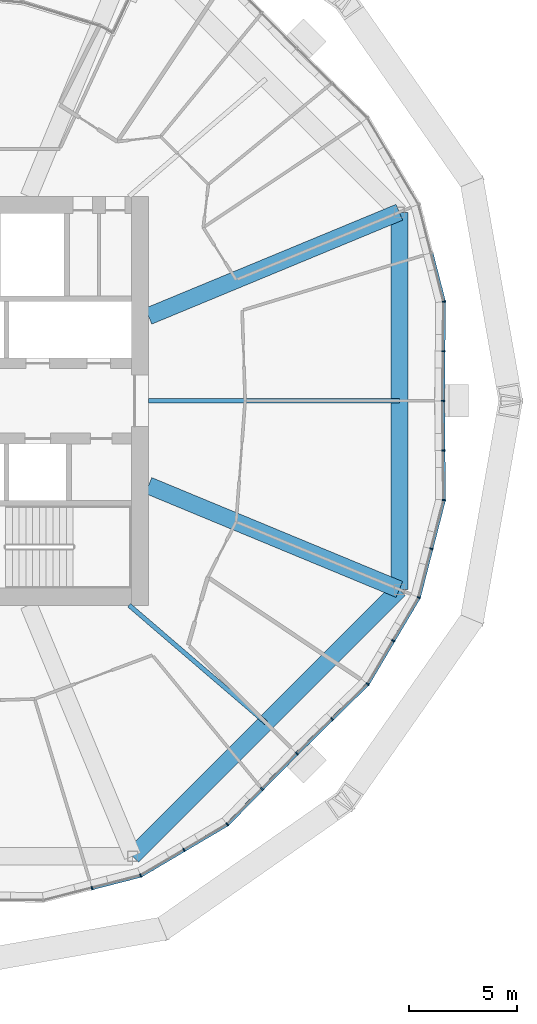
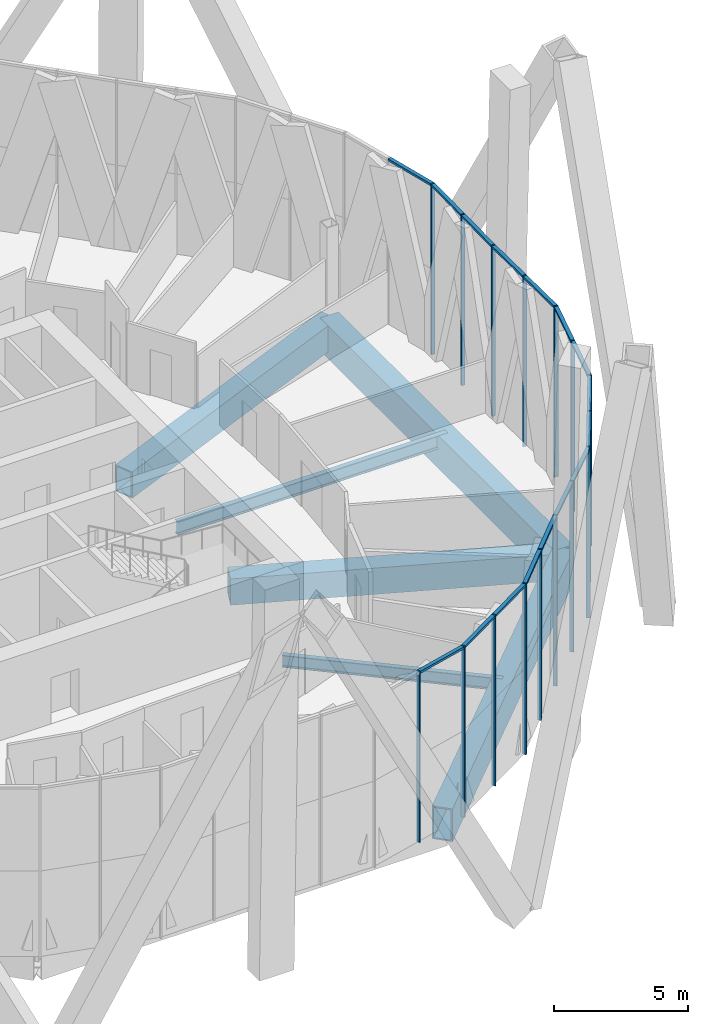
# One storey, part 6 of 31: 32 members, 6 beams, 3 elements without a shape of their own.
"""IFC4 building model written with IfcOpenShell, lengths in metres."""

import ifcopenshell
import ifcopenshell.guid

model = None  # the IFC model being written
_history = None  # IfcOwnerHistory: only IFC2X3 demands one
_inside = {}  # id of a spatial element -> (the spatial element, [elements in it])
_under = {}  # id of a project, library or spatial element -> (it, [spatial elements below it])
_declared = {}  # id of a project -> (the project, [libraries it declares])
_typed = {}  # id of a type object -> (the type object, [elements of that type])
_made_of = {}  # id of a material, layer set ... -> (it, [elements and type objects made of it])


def new_model(schema):
    """Start an empty IFC model of exactly this schema.

    Asked for "IFC4X3", IfcOpenShell would pick the latest addendum, in which some entities
    have other attributes; the version numbers below select the first issue.
    IFC2X3 requires an IfcOwnerHistory on every rooted entity: one is made here for all.
    """
    global model, _history
    if schema == "IFC4X3":
        model = ifcopenshell.file(schema_version=(4, 3, 0, 0))
    else:
        model = ifcopenshell.file(schema=schema)
    _inside.clear()
    _under.clear()
    _declared.clear()
    _typed.clear()
    _made_of.clear()
    _history = None
    if model.schema == "IFC2X3":
        org = make("IfcOrganization", Name="unknown")
        user = make(
            "IfcPersonAndOrganization",
            ThePerson=make("IfcPerson", FamilyName="unknown"),
            TheOrganization=org,
        )
        app = make(
            "IfcApplication",
            ApplicationDeveloper=org,
            Version="unknown",
            ApplicationFullName="unknown",
            ApplicationIdentifier="unknown",
        )
        _history = make(
            "IfcOwnerHistory",
            OwningUser=user,
            OwningApplication=app,
            ChangeAction="ADDED",
            CreationDate=0,
        )
    return model


def make(cls, **values):
    """One entity of the class cls with the attributes given. An attribute that is None is left unset."""
    return model.create_entity(
        cls, **{name: value for name, value in values.items() if value is not None}
    )


def rooted(cls, **values):
    """An entity with a GlobalId (a new one), such as an element, a storey or a relation."""
    return make(cls, GlobalId=ifcopenshell.guid.new(), OwnerHistory=_history, **values)


def si_unit(unit_type, name, prefix=None):
    """IfcSIUnit, for example si_unit("LENGTHUNIT", "METRE", prefix="MILLI")."""
    return make("IfcSIUnit", UnitType=unit_type, Prefix=prefix, Name=name)


def assignment(units):
    """IfcUnitAssignment: the units of a project."""
    return None if units is None else make("IfcUnitAssignment", Units=units)


def point(xyz):
    """IfcCartesianPoint."""
    return None if xyz is None else make("IfcCartesianPoint", Coordinates=xyz)


def direction(xyz):
    """IfcDirection."""
    return None if xyz is None else make("IfcDirection", DirectionRatios=xyz)


def frame(location, z_axis=None, x_axis=None):
    """IfcAxis2Placement3D, a coordinate frame: its origin and axes. An axis left out is left unset."""
    return make(
        "IfcAxis2Placement3D",
        Location=point(location),
        Axis=direction(z_axis),
        RefDirection=direction(x_axis),
    )


def frame_2d(location, x_axis=None):
    """IfcAxis2Placement2D, a coordinate frame in the plane: its origin and x axis."""
    return make(
        "IfcAxis2Placement2D", Location=point(location), RefDirection=direction(x_axis)
    )


def origin():
    """The frame at (0, 0, 0) with its axes left unset."""
    return frame((0.0, 0.0, 0.0))


def origin_2d():
    """The frame at (0, 0) in the plane with its x axis left unset."""
    return frame_2d((0.0, 0.0))


def place(relative_to, where):
    """IfcLocalPlacement: puts the frame where relative to a parent placement (None: the world)."""
    return make(
        "IfcLocalPlacement", PlacementRelTo=relative_to, RelativePlacement=where
    )


def context(
    kind, dimensions, precision=None, world=None, true_north=None, identifier=None
):
    """IfcGeometricRepresentationContext, for example the 3D "Model" context."""
    return make(
        "IfcGeometricRepresentationContext",
        ContextIdentifier=identifier,
        ContextType=kind,
        CoordinateSpaceDimension=dimensions,
        Precision=precision,
        WorldCoordinateSystem=world,
        TrueNorth=true_north,
    )


def subcontext(parent, identifier, kind, view, scale=None):
    """IfcGeometricRepresentationSubContext, for example "Body" below "Model"."""
    return make(
        "IfcGeometricRepresentationSubContext",
        ContextIdentifier=identifier,
        ContextType=kind,
        ParentContext=parent,
        TargetScale=scale,
        TargetView=view,
    )


def project(units=None, contexts=None):
    """IfcProject with its units and contexts."""
    return rooted(
        "IfcProject",
        Name="project",
        RepresentationContexts=contexts,
        UnitsInContext=assignment(units),
    )


def spatial(cls, under=None, at=None, **own):
    """A site, building, storey or space (cls), placed at a placement, below another one or the project."""
    s = rooted(cls, ObjectPlacement=at, **own)
    if under is not None:
        _under.setdefault(under.id(), (under, []))[1].append(s)
    return s


def profile(cls, at=None, kind="AREA", **sizes):
    """A parametric profile (cls). Its sizes go by their IFC names, for example OverallWidth=200.0."""
    return make(cls, ProfileType=kind, Position=at, **sizes)


def rectangle(**sizes):
    """IfcRectangleProfileDef."""
    return profile("IfcRectangleProfileDef", **sizes)


def hollow_rectangle(**sizes):
    """IfcRectangleHollowProfileDef."""
    return profile("IfcRectangleHollowProfileDef", **sizes)


def i_section(**sizes):
    """IfcIShapeProfileDef."""
    return profile("IfcIShapeProfileDef", **sizes)


def extrude(swept, where, along, depth):
    """IfcExtrudedAreaSolid: the profile swept, set in the frame where, extruded along a direction by depth."""
    return make(
        "IfcExtrudedAreaSolid",
        SweptArea=swept,
        Position=where,
        ExtrudedDirection=direction(along),
        Depth=depth,
    )


def shape(context_of_items, identifier, shape_type, items):
    """IfcShapeRepresentation: the items that make up one representation, for example the "Body"."""
    return make(
        "IfcShapeRepresentation",
        ContextOfItems=context_of_items,
        RepresentationIdentifier=identifier,
        RepresentationType=shape_type,
        Items=items,
    )


def material(Name=None, Category=None):
    """IfcMaterial."""
    return make("IfcMaterial", Name=Name, Category=Category)


def material_profile(
    of_material, cross_section, Name=None, Category=None, Priority=None
):
    """IfcMaterialProfile: a cross section and its material."""
    return make(
        "IfcMaterialProfile",
        Name=Name,
        Material=of_material,
        Profile=cross_section,
        Priority=Priority,
        Category=Category,
    )


def profile_set(profiles, Name=None, composite=None):
    """IfcMaterialProfileSet."""
    return make(
        "IfcMaterialProfileSet",
        Name=Name,
        MaterialProfiles=profiles,
        CompositeProfile=composite,
    )


def made_of(thing, what):
    """Note that an element or type object is made of a material, layer set ...; save() writes the relation."""
    if what is not None:
        _made_of.setdefault(what.id(), (what, []))[1].append(thing)
    return thing


def type_object(cls, material=None, **own):
    """A type object (cls), such as IfcWallType, which elements share."""
    return made_of(rooted(cls, **own), material)


def element(
    cls,
    number,
    at=None,
    inside=None,
    cuts=None,
    type_object=None,
    material=None,
    context=None,
    identifier="Body",
    shape_type=None,
    held_by="IfcProductDefinitionShape",
    body=None,
    shapes=None,
    **own,
):
    """One element of the class cls, such as IfcWall. Its Tag is "e" and its number.

    at: its placement. inside: the storey or other place that contains it. cuts: it is an
    opening in that element (IfcRelVoidsElement). A single representation is given by context,
    identifier, shape_type and body (its items); several are given by shapes. held_by: the class
    of the entity that holds the representations. save() writes the other relations.
    """
    e = rooted(cls, Tag="e%d" % number, ObjectPlacement=at, **own)
    if body is not None:
        shapes = [shape(context, identifier, shape_type, body)]
    if shapes is not None:
        e.Representation = make(held_by, Representations=shapes)
    if inside is not None:
        _inside.setdefault(inside.id(), (inside, []))[1].append(e)
    if cuts is not None:
        rooted(
            "IfcRelVoidsElement", RelatingBuildingElement=cuts, RelatedOpeningElement=e
        )
    if type_object is not None:
        _typed.setdefault(type_object.id(), (type_object, []))[1].append(e)
    return made_of(e, material)


def aggregate(whole, parts):
    """IfcRelAggregates: a whole, such as a stair, and the parts it consists of."""
    return rooted("IfcRelAggregates", RelatingObject=whole, RelatedObjects=parts)


def save(model, path):
    """Write the relations noted so far, then the file.

    IfcRelAggregates (storeys below a building ...), IfcRelContainedInSpatialStructure (elements
    in a storey), IfcRelDefinesByType, IfcRelAssociatesMaterial and IfcRelDeclares: one each for
    every whole, place, type object, material and project.
    """
    for whole, parts in _under.values():
        aggregate(whole, parts)
    for where, things in _inside.values():
        rooted(
            "IfcRelContainedInSpatialStructure",
            RelatedElements=things,
            RelatingStructure=where,
        )
    for kind, things in _typed.values():
        rooted("IfcRelDefinesByType", RelatedObjects=things, RelatingType=kind)
    for what, things in _made_of.values():
        rooted("IfcRelAssociatesMaterial", RelatedObjects=things, RelatingMaterial=what)
    for by, libraries in _declared.values():
        rooted("IfcRelDeclares", RelatingContext=by, RelatedDefinitions=libraries)
    model.write(path)


model = new_model("IFC4")

# Units and contexts
model_context = context("Model", 3, precision=1e-05, world=origin(), true_north=direction((0.0, 1.0)))
body_context = subcontext(model_context, "Body", "Model", "MODEL_VIEW")
ifc_project = project(units=[si_unit("LENGTHUNIT", "METRE"), si_unit("AREAUNIT", "SQUARE_METRE"), si_unit("VOLUMEUNIT", "CUBIC_METRE"), si_unit("PLANEANGLEUNIT", "RADIAN"), si_unit("MASSUNIT", "GRAM", prefix="KILO")], contexts=[model_context])

# Site, building, storey
site_placement = place(None, origin())
site = spatial("IfcSite", under=ifc_project, at=site_placement, CompositionType="ELEMENT")
building_placement = place(site_placement, origin())
building = spatial("IfcBuilding", under=site, at=building_placement, Name="Ogive Gate Towers", CompositionType="ELEMENT")
storey_placement = place(building_placement, frame((0.0, 0.0, 55.800048828125)))
storey = spatial("IfcBuildingStorey", under=building, at=storey_placement, Name="L12", CompositionType="ELEMENT", Elevation=55.800048828125)

# Beams
ifc_material_1 = material(Name="Steel SM460", Category="steel")
ifc_material_profile_1 = material_profile(ifc_material_1, hollow_rectangle(XDim=0.800048828125, YDim=1.5, WallThickness=0.06005859375, at=origin_2d()), Name="BX 1500x800x60")
ifc_profile_set_1 = profile_set([ifc_material_profile_1], Name="Steel SM460")
beam_type_1 = type_object("IfcBeamType", Name="Edge girder BX 1500x800x60", PredefinedType="BEAM", material=ifc_profile_set_1)
for number, where, z_axis, x_axis, name in (
    (1, (-27.236572265625, -21.15673828125, -1.050048828125), (0.707106781187, 0.707106781187, 0.0), (-0.707106781187, 0.707106781187, 0.0), "T1/L12/SBM019"),
    (2, (-14.84326171875, -8.763427734375, -1.050048828125), (0.0, 1.0, 0.0), (-1.0, 0.0, 0.0), "T1/L12/SBM020"),
):
    element("IfcBeam", number, at=place(storey_placement, frame(where, z_axis=z_axis, x_axis=x_axis)), inside=storey, type_object=beam_type_1, Name=name, PredefinedType="BEAM", context=body_context, shape_type="SweptSolid", body=[
        extrude(hollow_rectangle(XDim=0.800048828125, YDim=1.5, WallThickness=0.06005859375, at=origin_2d()), origin(), (0.0, 0.0, 1.0), 17.52685546875),
    ])
ifc_material_2 = material(Name="Steel SM355", Category="steel")
ifc_material_profile_2 = material_profile(ifc_material_2, i_section(OverallWidth=0.2099609375, OverallDepth=0.550048828125, WebThickness=0.010986328125, FlangeThickness=0.01708984375, FilletRadius=0.02392578125, at=origin_2d()), Name="IPE 550")
ifc_profile_set_2 = profile_set([ifc_material_profile_2], Name="Steel SM355")
beam_type_2 = type_object("IfcBeamType", Name="Radial floor beam IPE 550", PredefinedType="BEAM", material=ifc_profile_set_2)
beam_1_placement = place(storey_placement, frame((-27.39990234375, -9.5, -0.574951171875), z_axis=(0.75874444664, -0.651388413078, 0.0), x_axis=(0.651388413078, 0.75874444664, 0.0)))
element("IfcBeam", 3, at=beam_1_placement, inside=storey, type_object=beam_type_2, Name="T1/L12/SBM006", PredefinedType="BEAM", context=body_context, shape_type="SweptSolid", body=[
    extrude(i_section(OverallWidth=0.2099609375, OverallDepth=0.550048828125, WebThickness=0.010986328125, FlangeThickness=0.01708984375, FilletRadius=0.02392578125, at=origin_2d()), origin(), (0.0, 0.0, 1.0), 8.38232421875),
])
ifc_material_profile_3 = material_profile(ifc_material_2, i_section(OverallWidth=0.219970703125, OverallDepth=0.60009765625, WebThickness=0.011962890625, FlangeThickness=0.01904296875, FilletRadius=0.02392578125, at=origin_2d()), Name="IPE 600")
ifc_profile_set_3 = profile_set([ifc_material_profile_3], Name="Steel SM355")
beam_type_3 = type_object("IfcBeamType", Name="Radial floor beam IPE 600", PredefinedType="BEAM", material=ifc_profile_set_3)
beam_2_placement = place(storey_placement, frame((-26.5, 0.0, -0.60009765625), z_axis=(1.0, 0.0, 0.0), x_axis=(0.0, 1.0, 0.0)))
element("IfcBeam", 4, at=beam_2_placement, inside=storey, type_object=beam_type_3, Name="T1/L12/SBM008", PredefinedType="BEAM", context=body_context, shape_type="SweptSolid", body=[
    extrude(i_section(OverallWidth=0.219970703125, OverallDepth=0.60009765625, WebThickness=0.011962890625, FlangeThickness=0.01904296875, FilletRadius=0.02392578125, at=origin_2d()), origin(), (0.0, 0.0, 1.0), 11.65673828125),
])

# Curtain wall, members
ifc_material_3 = material(Name="Pale metal aluminium", Category="aluminium")
curtain_wall_type = type_object("IfcCurtainWallType", Name="Tower unitised wall, low zone", PredefinedType="NOTDEFINED", material=ifc_material_3)
curtain_wall_1_placement = place(storey_placement, origin())
curtain_wall_1 = element("IfcCurtainWall", 5, at=curtain_wall_1_placement, inside=storey, type_object=curtain_wall_type, Name="CW1 T1 ECW03", PredefinedType="NOTDEFINED")
ifc_material_profile_4 = material_profile(ifc_material_3, rectangle(XDim=0.159912109375, YDim=0.06005859375, at=origin_2d()), Name="60 x 160 aluminium box")
ifc_profile_set_4 = profile_set([ifc_material_profile_4], Name="Pale metal aluminium")
member_type_1 = type_object("IfcMemberType", Name="Tower unitised wall, low zone mullion 60 x 160", PredefinedType="MULLION", material=ifc_profile_set_4)
member_1_placement = place(storey_placement, frame((-12.772705078125, 4.61083984375, -0.300048828125), z_axis=(0.0, 0.0, 1.0), x_axis=(-0.992727957326, -0.120379411626, 0.0)))
member_1 = element("IfcMember", 6, at=member_1_placement, type_object=member_type_1, Name="CW1 mullion", PredefinedType="MULLION", context=body_context, shape_type="SweptSolid", body=[
    extrude(rectangle(XDim=0.159912109375, YDim=0.06005859375, at=origin_2d()), origin(), (0.0, 0.0, 1.0), 7.800048828125),
])
member_2_placement = place(storey_placement, frame((-12.79638671875, 2.303955078125, -0.300048828125), z_axis=(0.0, 0.0, 1.0), x_axis=(-0.999947161375, 0.010279808233, 0.0)))
member_2 = element("IfcMember", 7, at=member_2_placement, type_object=member_type_1, Name="CW1 mullion", PredefinedType="MULLION", context=body_context, shape_type="SweptSolid", body=[
    extrude(rectangle(XDim=0.159912109375, YDim=0.06005859375, at=origin_2d()), origin(), (0.0, 0.0, 1.0), 7.800048828125),
])
member_3_placement = place(storey_placement, frame((-12.820068359375, -0.000244140625, -0.300048828125), z_axis=(0.0, 0.0, 1.0), x_axis=(-0.999947161375, 0.010279808233, 0.0)))
member_3 = element("IfcMember", 8, at=member_3_placement, type_object=member_type_1, Name="CW1 mullion", PredefinedType="MULLION", context=body_context, shape_type="SweptSolid", body=[
    extrude(rectangle(XDim=0.159912109375, YDim=0.06005859375, at=origin_2d()), origin(), (0.0, 0.0, 1.0), 7.800048828125),
])

curtain_wall_2_placement = place(storey_placement, origin())
curtain_wall_2 = element("IfcCurtainWall", 9, at=curtain_wall_2_placement, inside=storey, type_object=curtain_wall_type, Name="CW1 T1 ECW08", PredefinedType="NOTDEFINED")
member_4_placement = place(storey_placement, frame((-19.609130859375, -16.390625, -0.300048828125), z_axis=(0.0, 0.0, 1.0), x_axis=(-0.714338340748, 0.699800496526, 0.0)))
member_4 = element("IfcMember", 10, at=member_4_placement, type_object=member_type_1, Name="CW1 mullion", PredefinedType="MULLION", context=body_context, shape_type="SweptSolid", body=[
    extrude(rectangle(XDim=0.159912109375, YDim=0.06005859375, at=origin_2d()), origin(), (0.0, 0.0, 1.0), 7.800048828125),
])
member_5_placement = place(storey_placement, frame((-21.2216796875, -18.03662109375, -0.300048828125), z_axis=(0.0, 0.0, 1.0), x_axis=(-0.714350554462, 0.699788028863, 0.0)))
member_5 = element("IfcMember", 11, at=member_5_placement, type_object=member_type_1, Name="CW1 mullion", PredefinedType="MULLION", context=body_context, shape_type="SweptSolid", body=[
    extrude(rectangle(XDim=0.159912109375, YDim=0.06005859375, at=origin_2d()), origin(), (0.0, 0.0, 1.0), 7.800048828125),
])
member_6_placement = place(storey_placement, frame((-22.836181640625, -19.6845703125, -0.300048828125), z_axis=(0.0, 0.0, 1.0), x_axis=(-0.616857309367, 0.787075002703, 0.0)))
member_6 = element("IfcMember", 12, at=member_6_placement, type_object=member_type_1, Name="CW1 mullion", PredefinedType="MULLION", context=body_context, shape_type="SweptSolid", body=[
    extrude(rectangle(XDim=0.159912109375, YDim=0.06005859375, at=origin_2d()), origin(), (0.0, 0.0, 1.0), 7.800048828125),
])
member_7_placement = place(storey_placement, frame((-24.848388671875, -20.8740234375, -0.300048828125), z_axis=(0.0, 0.0, 1.0), x_axis=(-0.508770980552, 0.860901904603, 0.0)))
member_7 = element("IfcMember", 13, at=member_7_placement, type_object=member_type_1, Name="CW1 mullion", PredefinedType="MULLION", context=body_context, shape_type="SweptSolid", body=[
    extrude(rectangle(XDim=0.159912109375, YDim=0.06005859375, at=origin_2d()), origin(), (0.0, 0.0, 1.0), 7.800048828125),
])
member_8_placement = place(storey_placement, frame((-26.861083984375, -22.063232421875, -0.300048828125), z_axis=(0.0, 0.0, 1.0), x_axis=(-0.382683432365, 0.923879532511, 0.0)))
member_8 = element("IfcMember", 14, at=member_8_placement, type_object=member_type_1, Name="CW1 mullion", PredefinedType="MULLION", context=body_context, shape_type="SweptSolid", body=[
    extrude(rectangle(XDim=0.159912109375, YDim=0.06005859375, at=origin_2d()), origin(), (0.0, 0.0, 1.0), 7.800048828125),
])
member_9_placement = place(storey_placement, frame((-29.125244140625, -22.6455078125, -0.300048828125), z_axis=(0.0, 0.0, 1.0), x_axis=(-0.248977260623, 0.96850933072, 0.0)))
member_9 = element("IfcMember", 15, at=member_9_placement, type_object=member_type_1, Name="CW1 mullion", PredefinedType="MULLION", context=body_context, shape_type="SweptSolid", body=[
    extrude(rectangle(XDim=0.159912109375, YDim=0.06005859375, at=origin_2d()), origin(), (0.0, 0.0, 1.0), 7.800048828125),
])

curtain_wall_3_placement = place(storey_placement, origin())
curtain_wall_3 = element("IfcCurtainWall", 16, at=curtain_wall_3_placement, inside=storey, type_object=curtain_wall_type, Name="CW1 T1 ECW09", PredefinedType="NOTDEFINED")
member_10_placement = place(storey_placement, frame((-12.79638671875, -2.303955078125, -0.300048828125), z_axis=(0.0, 0.0, 1.0), x_axis=(-0.999947161375, -0.010279808233, 0.0)))
member_10 = element("IfcMember", 17, at=member_10_placement, type_object=member_type_1, Name="CW1 mullion", PredefinedType="MULLION", context=body_context, shape_type="SweptSolid", body=[
    extrude(rectangle(XDim=0.159912109375, YDim=0.06005859375, at=origin_2d()), origin(), (0.0, 0.0, 1.0), 7.800048828125),
])
member_11_placement = place(storey_placement, frame((-12.772705078125, -4.61083984375, -0.300048828125), z_axis=(0.0, 0.0, 1.0), x_axis=(-0.992727957326, 0.120379411626, 0.0)))
member_11 = element("IfcMember", 18, at=member_11_placement, type_object=member_type_1, Name="CW1 mullion", PredefinedType="MULLION", context=body_context, shape_type="SweptSolid", body=[
    extrude(rectangle(XDim=0.159912109375, YDim=0.06005859375, at=origin_2d()), origin(), (0.0, 0.0, 1.0), 7.800048828125),
])
member_12_placement = place(storey_placement, frame((-13.3544921875, -6.874755859375, -0.300048828125), z_axis=(0.0, 0.0, 1.0), x_axis=(-0.96850933072, 0.248977260623, 0.0)))
member_12 = element("IfcMember", 19, at=member_12_placement, type_object=member_type_1, Name="CW1 mullion", PredefinedType="MULLION", context=body_context, shape_type="SweptSolid", body=[
    extrude(rectangle(XDim=0.159912109375, YDim=0.06005859375, at=origin_2d()), origin(), (0.0, 0.0, 1.0), 7.800048828125),
])
member_13_placement = place(storey_placement, frame((-13.936767578125, -9.138916015625, -0.300048828125), z_axis=(0.0, 0.0, 1.0), x_axis=(-0.923879532511, 0.382683432365, 0.0)))
member_13 = element("IfcMember", 20, at=member_13_placement, type_object=member_type_1, Name="CW1 mullion", PredefinedType="MULLION", context=body_context, shape_type="SweptSolid", body=[
    extrude(rectangle(XDim=0.159912109375, YDim=0.06005859375, at=origin_2d()), origin(), (0.0, 0.0, 1.0), 7.800048828125),
])
member_14_placement = place(storey_placement, frame((-15.1259765625, -11.151611328125, -0.300048828125), z_axis=(0.0, 0.0, 1.0), x_axis=(-0.860901904603, 0.508770980552, 0.0)))
member_14 = element("IfcMember", 21, at=member_14_placement, type_object=member_type_1, Name="CW1 mullion", PredefinedType="MULLION", context=body_context, shape_type="SweptSolid", body=[
    extrude(rectangle(XDim=0.159912109375, YDim=0.06005859375, at=origin_2d()), origin(), (0.0, 0.0, 1.0), 7.800048828125),
])
member_15_placement = place(storey_placement, frame((-16.3154296875, -13.163818359375, -0.300048828125), z_axis=(0.0, 0.0, 1.0), x_axis=(-0.787075002703, 0.616857309367, 0.0)))
member_15 = element("IfcMember", 22, at=member_15_placement, type_object=member_type_1, Name="CW1 mullion", PredefinedType="MULLION", context=body_context, shape_type="SweptSolid", body=[
    extrude(rectangle(XDim=0.159912109375, YDim=0.06005859375, at=origin_2d()), origin(), (0.0, 0.0, 1.0), 7.800048828125),
])
member_16_placement = place(storey_placement, frame((-17.96337890625, -14.7783203125, -0.300048828125), z_axis=(0.0, 0.0, 1.0), x_axis=(-0.699788028863, 0.714350554462, 0.0)))
member_16 = element("IfcMember", 23, at=member_16_placement, type_object=member_type_1, Name="CW1 mullion", PredefinedType="MULLION", context=body_context, shape_type="SweptSolid", body=[
    extrude(rectangle(XDim=0.159912109375, YDim=0.06005859375, at=origin_2d()), origin(), (0.0, 0.0, 1.0), 7.800048828125),
])

# Member
ifc_material_profile_5 = material_profile(ifc_material_3, rectangle(XDim=0.159912109375, YDim=0.10009765625, at=origin_2d()), Name="100 x 160 aluminium box")
ifc_profile_set_5 = profile_set([ifc_material_profile_5], Name="Pale metal aluminium")
member_type_2 = type_object("IfcMemberType", Name="Tower unitised wall, low zone transom 100 x 160", PredefinedType="USERDEFINED", material=ifc_profile_set_5)
member_17_placement = place(storey_placement, frame((-13.34716796875, 6.845703125, 7.449951171875), z_axis=(0.248995019433, -0.968504765243, 0.0), x_axis=(0.968504765243, 0.248995019433, 0.0)))
member_17 = element("IfcMember", 24, at=member_17_placement, type_object=member_type_2, Name="CW1 transom", ObjectType="TRANSOM", PredefinedType="USERDEFINED", context=body_context, shape_type="SweptSolid", body=[
    extrude(rectangle(XDim=0.159912109375, YDim=0.10009765625, at=origin_2d()), origin(), (0.0, 0.0, 1.0), 2.274658203125),
])

member_18_placement = place(storey_placement, frame((-12.77294921875, 4.578369140625, 7.449951171875), z_axis=(-0.010224636826, -0.999947727035, 0.0), x_axis=(0.999947727035, -0.010224636826, 0.0)))
member_18 = element("IfcMember", 25, at=member_18_placement, type_object=member_type_2, Name="CW1 transom", ObjectType="TRANSOM", PredefinedType="USERDEFINED", context=body_context, shape_type="SweptSolid", body=[
    extrude(rectangle(XDim=0.159912109375, YDim=0.10009765625, at=origin_2d()), origin(), (0.0, 0.0, 1.0), 2.244384765625),
])

member_19_placement = place(storey_placement, frame((-12.796630859375, 2.27392578125, 7.449951171875), z_axis=(-0.01022574905, -0.999947715661, 0.0), x_axis=(0.999947715661, -0.01022574905, 0.0)))
member_19 = element("IfcMember", 26, at=member_19_placement, type_object=member_type_2, Name="CW1 transom", ObjectType="TRANSOM", PredefinedType="USERDEFINED", context=body_context, shape_type="SweptSolid", body=[
    extrude(rectangle(XDim=0.159912109375, YDim=0.10009765625, at=origin_2d()), origin(), (0.0, 0.0, 1.0), 2.244140625),
])

aggregate(curtain_wall_1, [member_1, member_17, member_2, member_18, member_3, member_19])

member_20_placement = place(storey_placement, frame((-19.630126953125, -16.412109375, 7.449951171875), z_axis=(-0.699780967698, -0.714357471611, 0.0), x_axis=(0.714357471611, -0.699780967698, 0.0)))
member_20 = element("IfcMember", 27, at=member_20_placement, type_object=member_type_2, Name="CW1 transom", ObjectType="TRANSOM", PredefinedType="USERDEFINED", context=body_context, shape_type="SweptSolid", body=[
    extrude(rectangle(XDim=0.159912109375, YDim=0.10009765625, at=origin_2d()), origin(), (0.0, 0.0, 1.0), 2.244384765625),
])

member_21_placement = place(storey_placement, frame((-21.24267578125, -18.05810546875, 7.449951171875), z_axis=(-0.699780967698, -0.714357471611, 0.0), x_axis=(0.714357471611, -0.699780967698, 0.0)))
member_21 = element("IfcMember", 28, at=member_21_placement, type_object=member_type_2, Name="CW1 transom", ObjectType="TRANSOM", PredefinedType="USERDEFINED", context=body_context, shape_type="SweptSolid", body=[
    extrude(rectangle(XDim=0.159912109375, YDim=0.10009765625, at=origin_2d()), origin(), (0.0, 0.0, 1.0), 2.244384765625),
])

member_22_placement = place(storey_placement, frame((-22.8642578125, -19.701416015625, 7.449951171875), z_axis=(-0.860892342785, -0.508787159953, 0.0), x_axis=(0.508787159953, -0.860892342785, 0.0)))
member_22 = element("IfcMember", 29, at=member_22_placement, type_object=member_type_2, Name="CW1 transom", ObjectType="TRANSOM", PredefinedType="USERDEFINED", context=body_context, shape_type="SweptSolid", body=[
    extrude(rectangle(XDim=0.159912109375, YDim=0.10009765625, at=origin_2d()), origin(), (0.0, 0.0, 1.0), 2.27490234375),
])

member_23_placement = place(storey_placement, frame((-24.87451171875, -20.889404296875, 7.449951171875), z_axis=(-0.860911570369, -0.508754624554, 0.0), x_axis=(0.508754624554, -0.860911570369, 0.0)))
member_23 = element("IfcMember", 30, at=member_23_placement, type_object=member_type_2, Name="CW1 transom", ObjectType="TRANSOM", PredefinedType="USERDEFINED", context=body_context, shape_type="SweptSolid", body=[
    extrude(rectangle(XDim=0.159912109375, YDim=0.10009765625, at=origin_2d()), origin(), (0.0, 0.0, 1.0), 2.274658203125),
])

member_24_placement = place(storey_placement, frame((-26.892822265625, -22.071533203125, 7.449951171875), z_axis=(-0.968511418224, -0.248969140197, 0.0), x_axis=(0.248969140197, -0.968511418224, 0.0)))
member_24 = element("IfcMember", 31, at=member_24_placement, type_object=member_type_2, Name="CW1 transom", ObjectType="TRANSOM", PredefinedType="USERDEFINED", context=body_context, shape_type="SweptSolid", body=[
    extrude(rectangle(XDim=0.159912109375, YDim=0.10009765625, at=origin_2d()), origin(), (0.0, 0.0, 1.0), 2.27490234375),
])

aggregate(curtain_wall_2, [member_4, member_5, member_20, member_6, member_21, member_7, member_22, member_8, member_23, member_9, member_24])

member_25_placement = place(storey_placement, frame((-12.819580078125, -0.02978515625, 7.449951171875), z_axis=(0.01022574905, -0.999947715661, 0.0), x_axis=(0.999947715661, 0.01022574905, 0.0)))
member_25 = element("IfcMember", 32, at=member_25_placement, type_object=member_type_2, Name="CW1 transom", ObjectType="TRANSOM", PredefinedType="USERDEFINED", context=body_context, shape_type="SweptSolid", body=[
    extrude(rectangle(XDim=0.159912109375, YDim=0.10009765625, at=origin_2d()), origin(), (0.0, 0.0, 1.0), 2.244140625),
])

member_26_placement = place(storey_placement, frame((-12.7958984375, -2.333984375, 7.449951171875), z_axis=(0.010224636826, -0.999947727035, 0.0), x_axis=(0.999947727035, 0.010224636826, 0.0)))
member_26 = element("IfcMember", 33, at=member_26_placement, type_object=member_type_2, Name="CW1 transom", ObjectType="TRANSOM", PredefinedType="USERDEFINED", context=body_context, shape_type="SweptSolid", body=[
    extrude(rectangle(XDim=0.159912109375, YDim=0.10009765625, at=origin_2d()), origin(), (0.0, 0.0, 1.0), 2.244384765625),
])

member_27_placement = place(storey_placement, frame((-12.78076171875, -4.642578125, 7.449951171875), z_axis=(-0.248995019433, -0.968504765243, 0.0), x_axis=(0.968504765243, -0.248995019433, 0.0)))
member_27 = element("IfcMember", 34, at=member_27_placement, type_object=member_type_2, Name="CW1 transom", ObjectType="TRANSOM", PredefinedType="USERDEFINED", context=body_context, shape_type="SweptSolid", body=[
    extrude(rectangle(XDim=0.159912109375, YDim=0.10009765625, at=origin_2d()), origin(), (0.0, 0.0, 1.0), 2.274658203125),
])

member_28_placement = place(storey_placement, frame((-13.362060546875, -6.90380859375, 7.449951171875), z_axis=(-0.248969140197, -0.968511418224, 0.0), x_axis=(0.968511418224, -0.248969140197, 0.0)))
member_28 = element("IfcMember", 35, at=member_28_placement, type_object=member_type_2, Name="CW1 transom", ObjectType="TRANSOM", PredefinedType="USERDEFINED", context=body_context, shape_type="SweptSolid", body=[
    extrude(rectangle(XDim=0.159912109375, YDim=0.10009765625, at=origin_2d()), origin(), (0.0, 0.0, 1.0), 2.27490234375),
])

member_29_placement = place(storey_placement, frame((-13.953369140625, -9.167236328125, 7.449951171875), z_axis=(-0.508754624554, -0.860911570369, 0.0), x_axis=(0.860911570369, -0.508754624554, 0.0)))
member_29 = element("IfcMember", 36, at=member_29_placement, type_object=member_type_2, Name="CW1 transom", ObjectType="TRANSOM", PredefinedType="USERDEFINED", context=body_context, shape_type="SweptSolid", body=[
    extrude(rectangle(XDim=0.159912109375, YDim=0.10009765625, at=origin_2d()), origin(), (0.0, 0.0, 1.0), 2.274658203125),
])

member_30_placement = place(storey_placement, frame((-15.14111328125, -11.17724609375, 7.449951171875), z_axis=(-0.508787159953, -0.860892342785, 0.0), x_axis=(0.860892342785, -0.508787159953, 0.0)))
member_30 = element("IfcMember", 37, at=member_30_placement, type_object=member_type_2, Name="CW1 transom", ObjectType="TRANSOM", PredefinedType="USERDEFINED", context=body_context, shape_type="SweptSolid", body=[
    extrude(rectangle(XDim=0.159912109375, YDim=0.10009765625, at=origin_2d()), origin(), (0.0, 0.0, 1.0), 2.27490234375),
])

member_31_placement = place(storey_placement, frame((-16.338623046875, -13.186767578125, 7.449951171875), z_axis=(-0.714357471611, -0.699780967698, 0.0), x_axis=(0.699780967698, -0.714357471611, 0.0)))
member_31 = element("IfcMember", 38, at=member_31_placement, type_object=member_type_2, Name="CW1 transom", ObjectType="TRANSOM", PredefinedType="USERDEFINED", context=body_context, shape_type="SweptSolid", body=[
    extrude(rectangle(XDim=0.159912109375, YDim=0.10009765625, at=origin_2d()), origin(), (0.0, 0.0, 1.0), 2.244384765625),
])

member_32_placement = place(storey_placement, frame((-17.984619140625, -14.79931640625, 7.449951171875), z_axis=(-0.714357471611, -0.699780967698, 0.0), x_axis=(0.699780967698, -0.714357471611, 0.0)))
member_32 = element("IfcMember", 39, at=member_32_placement, type_object=member_type_2, Name="CW1 transom", ObjectType="TRANSOM", PredefinedType="USERDEFINED", context=body_context, shape_type="SweptSolid", body=[
    extrude(rectangle(XDim=0.159912109375, YDim=0.10009765625, at=origin_2d()), origin(), (0.0, 0.0, 1.0), 2.244384765625),
])

aggregate(curtain_wall_3, [member_10, member_25, member_11, member_26, member_12, member_27, member_13, member_28, member_14, member_29, member_15, member_30, member_16, member_31, member_32])

# Beams
ifc_material_profile_6 = material_profile(ifc_material_1, hollow_rectangle(XDim=0.800048828125, YDim=1.199951171875, WallThickness=0.050048828125, at=origin_2d()), Name="BX 1200x800x50")
ifc_profile_set_6 = profile_set([ifc_material_profile_6], Name="Steel SM460")
beam_type_4 = type_object("IfcBeamType", Name="Transfer radial beam BX 1200x800x50", PredefinedType="BEAM", material=ifc_profile_set_6)
for number, where, z_axis, x_axis, name in (
    (40, (-26.5, -3.93505859375, -0.900146484375), (0.923879811284, -0.382682759347, 0.0), (0.382682759347, 0.923879811284, 0.0), "T1/L12/SBM007"),
    (41, (-26.5, 3.93505859375, -0.900146484375), (0.923879811284, 0.382682759347, 0.0), (-0.382682759347, 0.923879811284, 0.0), "T1/L12/SBM009"),
):
    element("IfcBeam", number, at=place(storey_placement, frame(where, z_axis=z_axis, x_axis=x_axis)), inside=storey, type_object=beam_type_4, Name=name, PredefinedType="BEAM", context=body_context, shape_type="SweptSolid", body=[
        extrude(hollow_rectangle(XDim=0.800048828125, YDim=1.199951171875, WallThickness=0.050048828125, at=origin_2d()), origin(), (0.0, 0.0, 1.0), 12.6171875),
    ])

save(model, "model.ifc")
